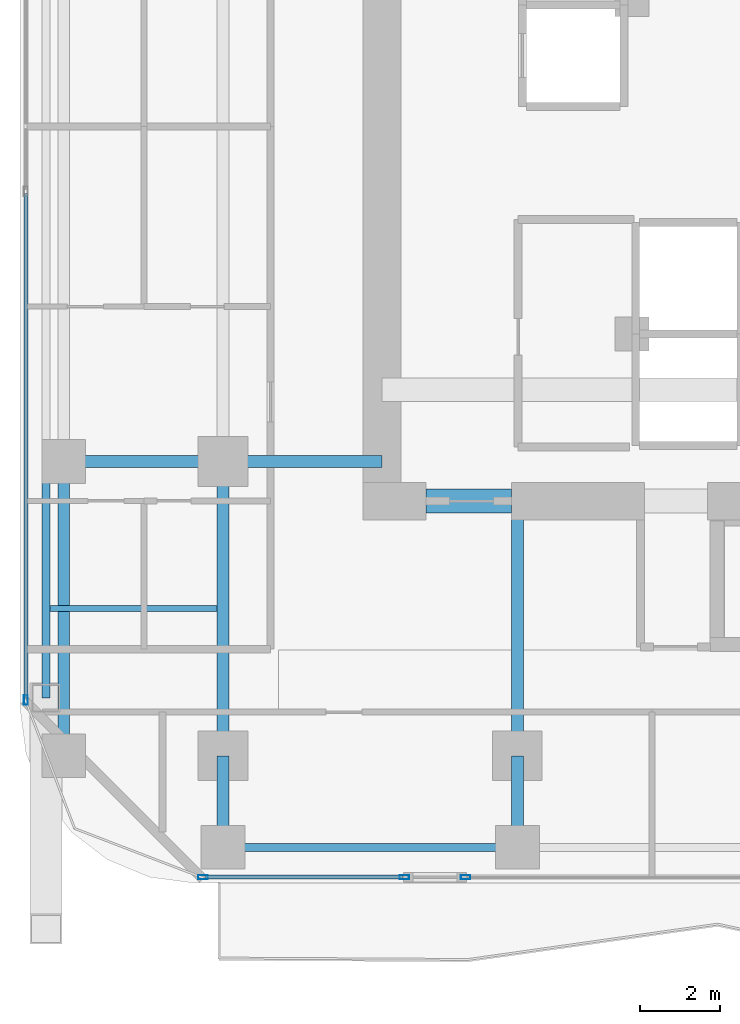
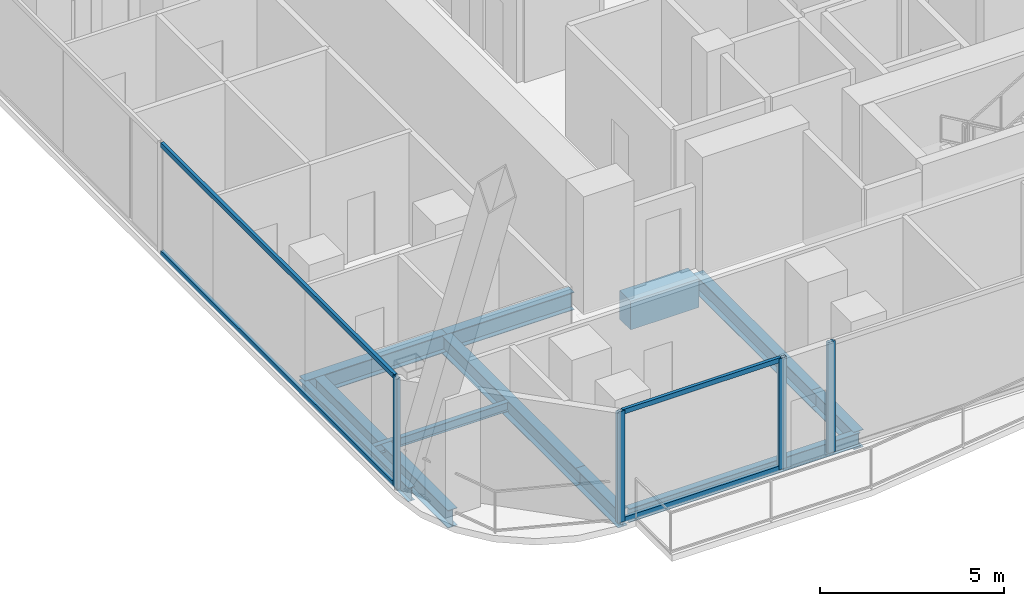
# One storey, part 2 of 28: 11 beams, 8 members, 3 elements without a shape of their own.
"""IFC4 building model written with IfcOpenShell, lengths in metres."""

import ifcopenshell
import ifcopenshell.guid

model = None  # the IFC model being written
_history = None  # IfcOwnerHistory: only IFC2X3 demands one
_inside = {}  # id of a spatial element -> (the spatial element, [elements in it])
_under = {}  # id of a project, library or spatial element -> (it, [spatial elements below it])
_declared = {}  # id of a project -> (the project, [libraries it declares])
_typed = {}  # id of a type object -> (the type object, [elements of that type])
_made_of = {}  # id of a material, layer set ... -> (it, [elements and type objects made of it])


def new_model(schema):
    """Start an empty IFC model of exactly this schema.

    Asked for "IFC4X3", IfcOpenShell would pick the latest addendum, in which some entities
    have other attributes; the version numbers below select the first issue.
    IFC2X3 requires an IfcOwnerHistory on every rooted entity: one is made here for all.
    """
    global model, _history
    if schema == "IFC4X3":
        model = ifcopenshell.file(schema_version=(4, 3, 0, 0))
    else:
        model = ifcopenshell.file(schema=schema)
    _inside.clear()
    _under.clear()
    _declared.clear()
    _typed.clear()
    _made_of.clear()
    _history = None
    if model.schema == "IFC2X3":
        org = make("IfcOrganization", Name="unknown")
        user = make(
            "IfcPersonAndOrganization",
            ThePerson=make("IfcPerson", FamilyName="unknown"),
            TheOrganization=org,
        )
        app = make(
            "IfcApplication",
            ApplicationDeveloper=org,
            Version="unknown",
            ApplicationFullName="unknown",
            ApplicationIdentifier="unknown",
        )
        _history = make(
            "IfcOwnerHistory",
            OwningUser=user,
            OwningApplication=app,
            ChangeAction="ADDED",
            CreationDate=0,
        )
    return model


def make(cls, **values):
    """One entity of the class cls with the attributes given. An attribute that is None is left unset."""
    return model.create_entity(
        cls, **{name: value for name, value in values.items() if value is not None}
    )


def rooted(cls, **values):
    """An entity with a GlobalId (a new one), such as an element, a storey or a relation."""
    return make(cls, GlobalId=ifcopenshell.guid.new(), OwnerHistory=_history, **values)


def si_unit(unit_type, name, prefix=None):
    """IfcSIUnit, for example si_unit("LENGTHUNIT", "METRE", prefix="MILLI")."""
    return make("IfcSIUnit", UnitType=unit_type, Prefix=prefix, Name=name)


def assignment(units):
    """IfcUnitAssignment: the units of a project."""
    return None if units is None else make("IfcUnitAssignment", Units=units)


def point(xyz):
    """IfcCartesianPoint."""
    return None if xyz is None else make("IfcCartesianPoint", Coordinates=xyz)


def direction(xyz):
    """IfcDirection."""
    return None if xyz is None else make("IfcDirection", DirectionRatios=xyz)


def frame(location, z_axis=None, x_axis=None):
    """IfcAxis2Placement3D, a coordinate frame: its origin and axes. An axis left out is left unset."""
    return make(
        "IfcAxis2Placement3D",
        Location=point(location),
        Axis=direction(z_axis),
        RefDirection=direction(x_axis),
    )


def frame_2d(location, x_axis=None):
    """IfcAxis2Placement2D, a coordinate frame in the plane: its origin and x axis."""
    return make(
        "IfcAxis2Placement2D", Location=point(location), RefDirection=direction(x_axis)
    )


def origin():
    """The frame at (0, 0, 0) with its axes left unset."""
    return frame((0.0, 0.0, 0.0))


def origin_2d():
    """The frame at (0, 0) in the plane with its x axis left unset."""
    return frame_2d((0.0, 0.0))


def place(relative_to, where):
    """IfcLocalPlacement: puts the frame where relative to a parent placement (None: the world)."""
    return make(
        "IfcLocalPlacement", PlacementRelTo=relative_to, RelativePlacement=where
    )


def context(
    kind, dimensions, precision=None, world=None, true_north=None, identifier=None
):
    """IfcGeometricRepresentationContext, for example the 3D "Model" context."""
    return make(
        "IfcGeometricRepresentationContext",
        ContextIdentifier=identifier,
        ContextType=kind,
        CoordinateSpaceDimension=dimensions,
        Precision=precision,
        WorldCoordinateSystem=world,
        TrueNorth=true_north,
    )


def subcontext(parent, identifier, kind, view, scale=None):
    """IfcGeometricRepresentationSubContext, for example "Body" below "Model"."""
    return make(
        "IfcGeometricRepresentationSubContext",
        ContextIdentifier=identifier,
        ContextType=kind,
        ParentContext=parent,
        TargetScale=scale,
        TargetView=view,
    )


def project(units=None, contexts=None):
    """IfcProject with its units and contexts."""
    return rooted(
        "IfcProject",
        Name="project",
        RepresentationContexts=contexts,
        UnitsInContext=assignment(units),
    )


def spatial(cls, under=None, at=None, **own):
    """A site, building, storey or space (cls), placed at a placement, below another one or the project."""
    s = rooted(cls, ObjectPlacement=at, **own)
    if under is not None:
        _under.setdefault(under.id(), (under, []))[1].append(s)
    return s


def profile(cls, at=None, kind="AREA", **sizes):
    """A parametric profile (cls). Its sizes go by their IFC names, for example OverallWidth=200.0."""
    return make(cls, ProfileType=kind, Position=at, **sizes)


def rectangle(**sizes):
    """IfcRectangleProfileDef."""
    return profile("IfcRectangleProfileDef", **sizes)


def hollow_rectangle(**sizes):
    """IfcRectangleHollowProfileDef."""
    return profile("IfcRectangleHollowProfileDef", **sizes)


def i_section(**sizes):
    """IfcIShapeProfileDef."""
    return profile("IfcIShapeProfileDef", **sizes)


def extrude(swept, where, along, depth):
    """IfcExtrudedAreaSolid: the profile swept, set in the frame where, extruded along a direction by depth."""
    return make(
        "IfcExtrudedAreaSolid",
        SweptArea=swept,
        Position=where,
        ExtrudedDirection=direction(along),
        Depth=depth,
    )


def shape(context_of_items, identifier, shape_type, items):
    """IfcShapeRepresentation: the items that make up one representation, for example the "Body"."""
    return make(
        "IfcShapeRepresentation",
        ContextOfItems=context_of_items,
        RepresentationIdentifier=identifier,
        RepresentationType=shape_type,
        Items=items,
    )


def material(Name=None, Category=None):
    """IfcMaterial."""
    return make("IfcMaterial", Name=Name, Category=Category)


def layer(
    of_material, thickness, ventilated=None, Name=None, Category=None, Priority=None
):
    """IfcMaterialLayer: one layer of a wall or slab, of a material (None: an air gap)."""
    return make(
        "IfcMaterialLayer",
        Material=of_material,
        LayerThickness=thickness,
        IsVentilated=ventilated,
        Name=Name,
        Category=Category,
        Priority=Priority,
    )


def layer_set(layers, Name=None):
    """IfcMaterialLayerSet."""
    return make("IfcMaterialLayerSet", MaterialLayers=layers, LayerSetName=Name)


def material_profile(
    of_material, cross_section, Name=None, Category=None, Priority=None
):
    """IfcMaterialProfile: a cross section and its material."""
    return make(
        "IfcMaterialProfile",
        Name=Name,
        Material=of_material,
        Profile=cross_section,
        Priority=Priority,
        Category=Category,
    )


def profile_set(profiles, Name=None, composite=None):
    """IfcMaterialProfileSet."""
    return make(
        "IfcMaterialProfileSet",
        Name=Name,
        MaterialProfiles=profiles,
        CompositeProfile=composite,
    )


def made_of(thing, what):
    """Note that an element or type object is made of a material, layer set ...; save() writes the relation."""
    if what is not None:
        _made_of.setdefault(what.id(), (what, []))[1].append(thing)
    return thing


def type_object(cls, material=None, **own):
    """A type object (cls), such as IfcWallType, which elements share."""
    return made_of(rooted(cls, **own), material)


def element(
    cls,
    number,
    at=None,
    inside=None,
    cuts=None,
    type_object=None,
    material=None,
    context=None,
    identifier="Body",
    shape_type=None,
    held_by="IfcProductDefinitionShape",
    body=None,
    shapes=None,
    **own,
):
    """One element of the class cls, such as IfcWall. Its Tag is "e" and its number.

    at: its placement. inside: the storey or other place that contains it. cuts: it is an
    opening in that element (IfcRelVoidsElement). A single representation is given by context,
    identifier, shape_type and body (its items); several are given by shapes. held_by: the class
    of the entity that holds the representations. save() writes the other relations.
    """
    e = rooted(cls, Tag="e%d" % number, ObjectPlacement=at, **own)
    if body is not None:
        shapes = [shape(context, identifier, shape_type, body)]
    if shapes is not None:
        e.Representation = make(held_by, Representations=shapes)
    if inside is not None:
        _inside.setdefault(inside.id(), (inside, []))[1].append(e)
    if cuts is not None:
        rooted(
            "IfcRelVoidsElement", RelatingBuildingElement=cuts, RelatedOpeningElement=e
        )
    if type_object is not None:
        _typed.setdefault(type_object.id(), (type_object, []))[1].append(e)
    return made_of(e, material)


def aggregate(whole, parts):
    """IfcRelAggregates: a whole, such as a stair, and the parts it consists of."""
    return rooted("IfcRelAggregates", RelatingObject=whole, RelatedObjects=parts)


def save(model, path):
    """Write the relations noted so far, then the file.

    IfcRelAggregates (storeys below a building ...), IfcRelContainedInSpatialStructure (elements
    in a storey), IfcRelDefinesByType, IfcRelAssociatesMaterial and IfcRelDeclares: one each for
    every whole, place, type object, material and project.
    """
    for whole, parts in _under.values():
        aggregate(whole, parts)
    for where, things in _inside.values():
        rooted(
            "IfcRelContainedInSpatialStructure",
            RelatedElements=things,
            RelatingStructure=where,
        )
    for kind, things in _typed.values():
        rooted("IfcRelDefinesByType", RelatedObjects=things, RelatingType=kind)
    for what, things in _made_of.values():
        rooted("IfcRelAssociatesMaterial", RelatedObjects=things, RelatingMaterial=what)
    for by, libraries in _declared.values():
        rooted("IfcRelDeclares", RelatingContext=by, RelatedDefinitions=libraries)
    model.write(path)


model = new_model("IFC4")

# Units and contexts
model_context = context("Model", 3, precision=1e-05, world=origin(), true_north=direction((0.0, 1.0)))
body_context = subcontext(model_context, "Body", "Model", "MODEL_VIEW")
ifc_project = project(units=[si_unit("LENGTHUNIT", "METRE"), si_unit("AREAUNIT", "SQUARE_METRE"), si_unit("VOLUMEUNIT", "CUBIC_METRE"), si_unit("PLANEANGLEUNIT", "RADIAN"), si_unit("MASSUNIT", "GRAM", prefix="KILO")], contexts=[model_context])

# Site, building, storey
site_placement = place(None, origin())
site = spatial("IfcSite", under=ifc_project, at=site_placement, CompositionType="ELEMENT")
building_placement = place(site_placement, origin())
building = spatial("IfcBuilding", under=site, at=building_placement, Name="Khorvyn Point Tower", CompositionType="ELEMENT")
storey_placement = place(building_placement, frame((0.0, 0.0, 121.199951171875)))
storey = spatial("IfcBuildingStorey", under=building, at=storey_placement, Name="L30", CompositionType="ELEMENT", Elevation=121.199951171875)

# Curtain wall, member
ifc_material_1 = material(Name="Anodised aluminium 6063-T6 and laminated Low-E glass", Category="aluminium")
ifc_layer = layer(ifc_material_1, 0.18994140625)
ifc_layer_set = layer_set([ifc_layer], Name="Stick-Built Acoustic Curtain Wall CW-SYS-03")
curtain_wall_type = type_object("IfcCurtainWallType", Name="Stick-Built Acoustic Curtain Wall CW-SYS-03", PredefinedType="NOTDEFINED", material=ifc_layer_set)
curtain_wall_1_placement = place(storey_placement, origin())
curtain_wall_1 = element("IfcCurtainWall", 1, at=curtain_wall_1_placement, inside=storey, type_object=curtain_wall_type, Name="Curtain Wall", PredefinedType="NOTDEFINED")
ifc_material_2 = material(Name="Anodised aluminium 6063-T6", Category="aluminium")
ifc_material_profile_1 = material_profile(ifc_material_2, hollow_rectangle(XDim=0.10009765625, YDim=0.239990234375, WallThickness=0.0048828125, at=origin_2d()))
ifc_profile_set_1 = profile_set([ifc_material_profile_1], Name="Anodised aluminium 6063-T6 ALU-MUL-100x240")
member_type_1 = type_object("IfcMemberType", Name="Anodised Aluminium 6063-T6 Mullion ALU-MUL-100x240", PredefinedType="MULLION", material=ifc_profile_set_1)
member_1_placement = place(storey_placement, frame((-8.700927734375, -17.85009765625, 0.0), z_axis=(0.0, 0.0, 1.0), x_axis=(0.0, -1.0, 0.0)))
member_1 = element("IfcMember", 2, at=member_1_placement, type_object=member_type_1, Name="Transom", PredefinedType="MULLION", context=body_context, shape_type="SweptSolid", body=[
    extrude(hollow_rectangle(XDim=0.10009765625, YDim=0.239990234375, WallThickness=0.0048828125, at=origin_2d()), origin(), (0.0, 0.0, 1.0), 3.679931640625),
])
aggregate(curtain_wall_1, [member_1])

# Curtain wall, members
curtain_wall_2_placement = place(storey_placement, origin())
curtain_wall_2 = element("IfcCurtainWall", 3, at=curtain_wall_2_placement, inside=storey, type_object=curtain_wall_type, Name="Curtain Wall", PredefinedType="NOTDEFINED")
member_2_placement = place(storey_placement, frame((-10.240966796875, -17.85009765625, 0.0), z_axis=(0.0, 0.0, 1.0), x_axis=(0.0, -1.0, 0.0)))
member_2 = element("IfcMember", 4, at=member_2_placement, type_object=member_type_1, Name="Transom", PredefinedType="MULLION", context=body_context, shape_type="SweptSolid", body=[
    extrude(hollow_rectangle(XDim=0.10009765625, YDim=0.239990234375, WallThickness=0.0048828125, at=origin_2d()), origin(), (0.0, 0.0, 1.0), 3.679931640625),
])
member_3_placement = place(storey_placement, frame((-15.300048828125, -17.85009765625, 0.0), z_axis=(0.0, 0.0, 1.0), x_axis=(0.0, -1.0, 0.0)))
member_3 = element("IfcMember", 5, at=member_3_placement, type_object=member_type_1, Name="Transom", PredefinedType="MULLION", context=body_context, shape_type="SweptSolid", body=[
    extrude(hollow_rectangle(XDim=0.10009765625, YDim=0.239990234375, WallThickness=0.0048828125, at=origin_2d()), origin(), (0.0, 0.0, 1.0), 3.679931640625),
])

# Curtain wall, member
curtain_wall_3_placement = place(storey_placement, origin())
curtain_wall_3 = element("IfcCurtainWall", 6, at=curtain_wall_3_placement, inside=storey, type_object=curtain_wall_type, Name="Curtain Wall", PredefinedType="NOTDEFINED")
member_4_placement = place(storey_placement, frame((-19.75, -13.39990234375, 0.0), z_axis=(0.0, 0.0, 1.0), x_axis=(-1.0, 0.0, 0.0)))
member_4 = element("IfcMember", 7, at=member_4_placement, type_object=member_type_1, Name="Transom", PredefinedType="MULLION", context=body_context, shape_type="SweptSolid", body=[
    extrude(hollow_rectangle(XDim=0.10009765625, YDim=0.239990234375, WallThickness=0.0048828125, at=origin_2d()), origin(), (0.0, 0.0, 1.0), 3.679931640625),
])

# Member
ifc_material_profile_2 = material_profile(ifc_material_2, hollow_rectangle(XDim=0.10009765625, YDim=0.159912109375, WallThickness=0.00439453125, at=origin_2d()))
ifc_profile_set_2 = profile_set([ifc_material_profile_2], Name="Anodised aluminium 6063-T6 ALU-TRN-100x160")
member_type_2 = type_object("IfcMemberType", Name="Anodised Aluminium 6063-T6 Transom ALU-TRN-100x160", PredefinedType="USERDEFINED", material=ifc_profile_set_2)
member_5_placement = place(storey_placement, frame((-10.291015625, -17.85009765625, 0.050048828125), z_axis=(-1.0, 0.0, 0.0), x_axis=(0.0, -1.0, 0.0)))
member_5 = element("IfcMember", 8, at=member_5_placement, type_object=member_type_2, Name="Transom", ObjectType="TRANSOM", PredefinedType="USERDEFINED", context=body_context, shape_type="SweptSolid", body=[
    extrude(hollow_rectangle(XDim=0.10009765625, YDim=0.159912109375, WallThickness=0.00439453125, at=origin_2d()), origin(), (0.0, 0.0, 1.0), 4.958984375),
])

member_6_placement = place(storey_placement, frame((-10.291015625, -17.85009765625, 3.630126953125), z_axis=(-1.0, 0.0, 0.0), x_axis=(0.0, -1.0, 0.0)))
member_6 = element("IfcMember", 9, at=member_6_placement, type_object=member_type_2, Name="Transom", ObjectType="TRANSOM", PredefinedType="USERDEFINED", context=body_context, shape_type="SweptSolid", body=[
    extrude(hollow_rectangle(XDim=0.10009765625, YDim=0.159912109375, WallThickness=0.00439453125, at=origin_2d()), origin(), (0.0, 0.0, 1.0), 4.958984375),
])

aggregate(curtain_wall_2, [member_2, member_3, member_5, member_6])

member_7_placement = place(storey_placement, frame((-19.75, -13.35009765625, 0.050048828125), z_axis=(0.0, 1.0, 0.0), x_axis=(-1.0, 0.0, 0.0)))
member_7 = element("IfcMember", 10, at=member_7_placement, type_object=member_type_2, Name="Transom", ObjectType="TRANSOM", PredefinedType="USERDEFINED", context=body_context, shape_type="SweptSolid", body=[
    extrude(hollow_rectangle(XDim=0.10009765625, YDim=0.159912109375, WallThickness=0.00439453125, at=origin_2d()), origin(), (0.0, 0.0, 1.0), 12.683349609375),
])

member_8_placement = place(storey_placement, frame((-19.75, -13.35009765625, 3.630126953125), z_axis=(0.0, 1.0, 0.0), x_axis=(-1.0, 0.0, 0.0)))
member_8 = element("IfcMember", 11, at=member_8_placement, type_object=member_type_2, Name="Transom", ObjectType="TRANSOM", PredefinedType="USERDEFINED", context=body_context, shape_type="SweptSolid", body=[
    extrude(hollow_rectangle(XDim=0.10009765625, YDim=0.159912109375, WallThickness=0.00439453125, at=origin_2d()), origin(), (0.0, 0.0, 1.0), 12.683349609375),
])

aggregate(curtain_wall_3, [member_4, member_7, member_8])

# Beams
ifc_material_3 = material(Name="Concrete C50/60", Category="concrete")
ifc_material_profile_3 = material_profile(ifc_material_3, rectangle(XDim=0.60009765625, YDim=0.949951171875, at=origin_2d()))
ifc_profile_set_3 = profile_set([ifc_material_profile_3], Name="Concrete C50/60 RC600x950")
beam_type_1 = type_object("IfcBeamType", Name="Concrete C50/60 Beam RC600x950", PredefinedType="BEAM", material=ifc_profile_set_3)
beam_1_placement = place(storey_placement, frame((-9.699951171875, -8.39990234375, -0.695068359375), z_axis=(1.0, 0.0, 0.0), x_axis=(0.0, 1.0, 0.0)))
element("IfcBeam", 12, at=beam_1_placement, inside=storey, type_object=beam_type_1, Name="L30 Core Southwest Portal Coupling Beam", PredefinedType="BEAM", context=body_context, shape_type="SweptSolid", body=[
    extrude(rectangle(XDim=0.60009765625, YDim=0.949951171875, at=origin_2d()), origin(), (0.0, 0.0, 1.0), 2.14990234375),
])
ifc_material_4 = material(Name="Steel S355", Category="steel")
ifc_material_profile_4 = material_profile(ifc_material_4, i_section(OverallWidth=0.300048828125, OverallDepth=0.587890625, WebThickness=0.011962890625, FlangeThickness=0.02001953125, at=origin_2d()))
ifc_profile_set_4 = profile_set([ifc_material_profile_4], Name="Steel S355 H588x300x12x20")
beam_type_2 = type_object("IfcBeamType", Name="Steel S355 Beam H588x300x12x20", PredefinedType="BEAM", material=ifc_profile_set_4)
beam_2_placement = place(storey_placement, frame((-19.25, -7.39990234375, -0.513916015625), z_axis=(1.0, 0.0, 0.0), x_axis=(0.0, 1.0, 0.0)))
element("IfcBeam", 13, at=beam_2_placement, inside=storey, type_object=beam_type_2, Name="Beam", PredefinedType="BEAM", context=body_context, shape_type="SweptSolid", body=[
    extrude(i_section(OverallWidth=0.300048828125, OverallDepth=0.587890625, WebThickness=0.011962890625, FlangeThickness=0.02001953125, at=origin_2d()), origin(), (0.0, 0.0, 1.0), 4.449951171875),
])
beam_3_placement = place(storey_placement, frame((-14.800048828125, -7.39990234375, -0.513916015625), z_axis=(1.0, 0.0, 0.0), x_axis=(0.0, 1.0, 0.0)))
element("IfcBeam", 14, at=beam_3_placement, inside=storey, type_object=beam_type_2, Name="Beam", PredefinedType="BEAM", context=body_context, shape_type="SweptSolid", body=[
    extrude(i_section(OverallWidth=0.300048828125, OverallDepth=0.587890625, WebThickness=0.011962890625, FlangeThickness=0.02001953125, at=origin_2d()), origin(), (0.0, 0.0, 1.0), 4.0),
])
beam_4_placement = place(storey_placement, frame((-14.800048828125, -17.10009765625, -0.513916015625), z_axis=(0.0, 1.0, 0.0), x_axis=(-1.0, 0.0, 0.0)))
element("IfcBeam", 15, at=beam_4_placement, inside=storey, type_object=beam_type_2, Name="Beam", PredefinedType="BEAM", context=body_context, shape_type="SweptSolid", body=[
    extrude(i_section(OverallWidth=0.300048828125, OverallDepth=0.587890625, WebThickness=0.011962890625, FlangeThickness=0.02001953125, at=origin_2d()), origin(), (0.0, 0.0, 1.0), 2.300048828125),
])
beam_5_placement = place(storey_placement, frame((-14.800048828125, -14.800048828125, -0.513916015625), z_axis=(0.0, 1.0, 0.0), x_axis=(-1.0, 0.0, 0.0)))
element("IfcBeam", 16, at=beam_5_placement, inside=storey, type_object=beam_type_2, Name="Beam", PredefinedType="BEAM", context=body_context, shape_type="SweptSolid", body=[
    extrude(i_section(OverallWidth=0.300048828125, OverallDepth=0.587890625, WebThickness=0.011962890625, FlangeThickness=0.02001953125, at=origin_2d()), origin(), (0.0, 0.0, 1.0), 7.400146484375),
])
beam_6_placement = place(storey_placement, frame((-7.39990234375, -17.10009765625, -0.513916015625), z_axis=(0.0, 1.0, 0.0), x_axis=(-1.0, 0.0, 0.0)))
element("IfcBeam", 17, at=beam_6_placement, inside=storey, type_object=beam_type_2, Name="Beam", PredefinedType="BEAM", context=body_context, shape_type="SweptSolid", body=[
    extrude(i_section(OverallWidth=0.300048828125, OverallDepth=0.587890625, WebThickness=0.011962890625, FlangeThickness=0.02001953125, at=origin_2d()), origin(), (0.0, 0.0, 1.0), 2.300048828125),
])
beam_7_placement = place(storey_placement, frame((-7.39990234375, -14.800048828125, -0.513916015625), z_axis=(0.0, 1.0, 0.0), x_axis=(-1.0, 0.0, 0.0)))
element("IfcBeam", 18, at=beam_7_placement, inside=storey, type_object=beam_type_2, Name="Beam", PredefinedType="BEAM", context=body_context, shape_type="SweptSolid", body=[
    extrude(i_section(OverallWidth=0.300048828125, OverallDepth=0.587890625, WebThickness=0.011962890625, FlangeThickness=0.02001953125, at=origin_2d()), origin(), (0.0, 0.0, 1.0), 6.400146484375),
])
beam_8_placement = place(storey_placement, frame((-18.800048828125, -14.800048828125, -0.513916015625), z_axis=(0.0, 1.0, 0.0), x_axis=(-1.0, 0.0, 0.0)))
element("IfcBeam", 19, at=beam_8_placement, inside=storey, type_object=beam_type_2, Name="Beam", PredefinedType="BEAM", context=body_context, shape_type="SweptSolid", body=[
    extrude(i_section(OverallWidth=0.300048828125, OverallDepth=0.587890625, WebThickness=0.011962890625, FlangeThickness=0.02001953125, at=origin_2d()), origin(), (0.0, 0.0, 1.0), 7.400146484375),
])
ifc_material_profile_5 = material_profile(ifc_material_4, i_section(OverallWidth=0.14990234375, OverallDepth=0.300048828125, WebThickness=0.006591796875, FlangeThickness=0.009033203125, at=origin_2d()))
ifc_profile_set_5 = profile_set([ifc_material_profile_5], Name="Steel S355 H300x150x6.5x9")
beam_type_3 = type_object("IfcBeamType", Name="Steel S355 Joist H300x150x6.5x9", PredefinedType="JOIST", material=ifc_profile_set_5)
beam_9_placement = place(storey_placement, frame((-19.14990234375, -11.10009765625, -0.369873046875), z_axis=(1.0, 0.0, 0.0), x_axis=(0.0, 1.0, 0.0)))
element("IfcBeam", 20, at=beam_9_placement, inside=storey, type_object=beam_type_3, Name="Beam", PredefinedType="JOIST", context=body_context, shape_type="SweptSolid", body=[
    extrude(i_section(OverallWidth=0.14990234375, OverallDepth=0.300048828125, WebThickness=0.006591796875, FlangeThickness=0.009033203125, at=origin_2d()), origin(), (0.0, 0.0, 1.0), 4.199951171875),
])
ifc_material_profile_6 = material_profile(ifc_material_4, i_section(OverallWidth=0.199951171875, OverallDepth=0.449951171875, WebThickness=0.009033203125, FlangeThickness=0.013916015625, at=origin_2d()))
ifc_profile_set_6 = profile_set([ifc_material_profile_6], Name="Steel S355 H450x200x9x14")
beam_type_4 = type_object("IfcBeamType", Name="Steel S355 Spandrel H450x200x9x14", PredefinedType="SPANDREL", material=ifc_profile_set_6)
beam_10_placement = place(storey_placement, frame((-14.64990234375, -17.10009765625, -0.445068359375), z_axis=(1.0, 0.0, 0.0), x_axis=(0.0, 1.0, 0.0)))
element("IfcBeam", 21, at=beam_10_placement, inside=storey, type_object=beam_type_4, Name="Beam", PredefinedType="SPANDREL", context=body_context, shape_type="SweptSolid", body=[
    extrude(i_section(OverallWidth=0.199951171875, OverallDepth=0.449951171875, WebThickness=0.009033203125, FlangeThickness=0.013916015625, at=origin_2d()), origin(), (0.0, 0.0, 1.0), 7.25),
])
beam_11_placement = place(storey_placement, frame((-19.25, -13.35009765625, -0.445068359375), z_axis=(0.0, 1.0, 0.0), x_axis=(-1.0, 0.0, 0.0)))
element("IfcBeam", 22, at=beam_11_placement, inside=storey, type_object=beam_type_4, Name="Beam", PredefinedType="SPANDREL", context=body_context, shape_type="SweptSolid", body=[
    extrude(i_section(OverallWidth=0.199951171875, OverallDepth=0.449951171875, WebThickness=0.009033203125, FlangeThickness=0.013916015625, at=origin_2d()), origin(), (0.0, 0.0, 1.0), 5.9501953125),
])

save(model, "model.ifc")
